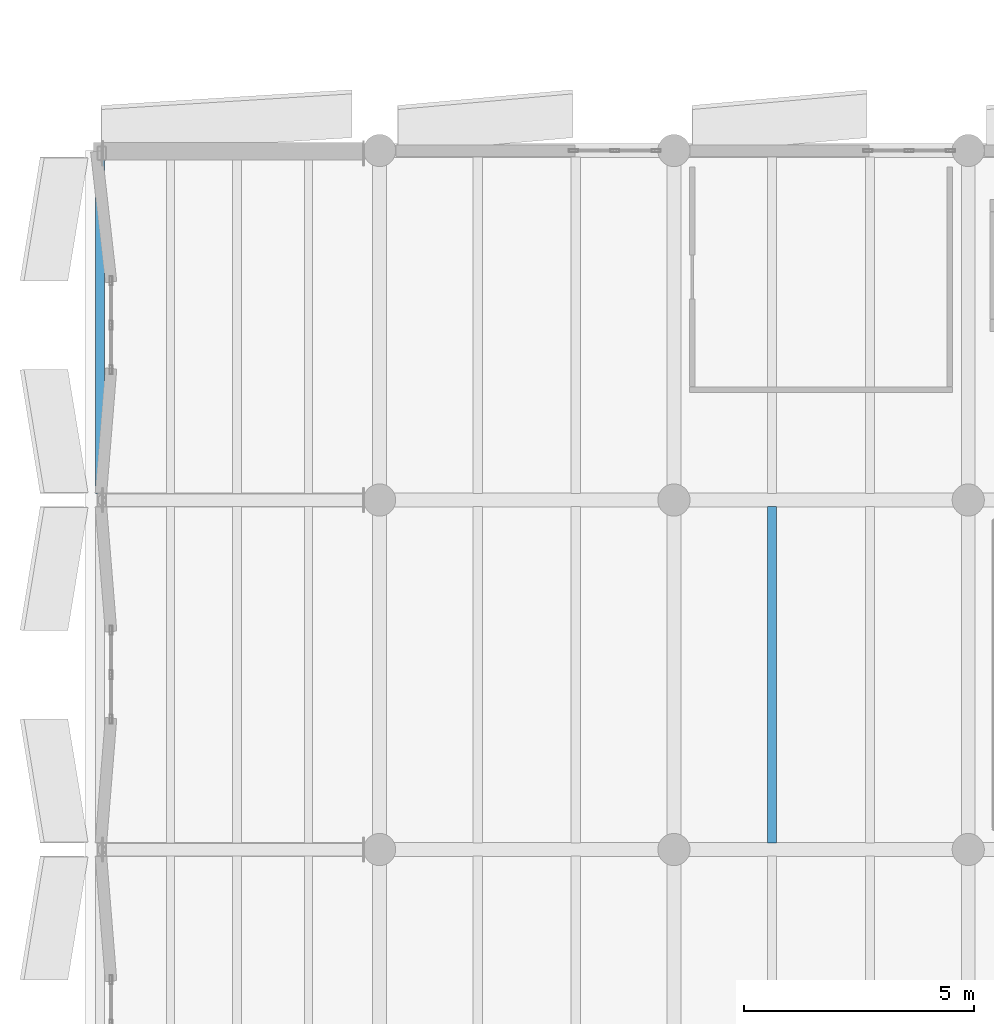
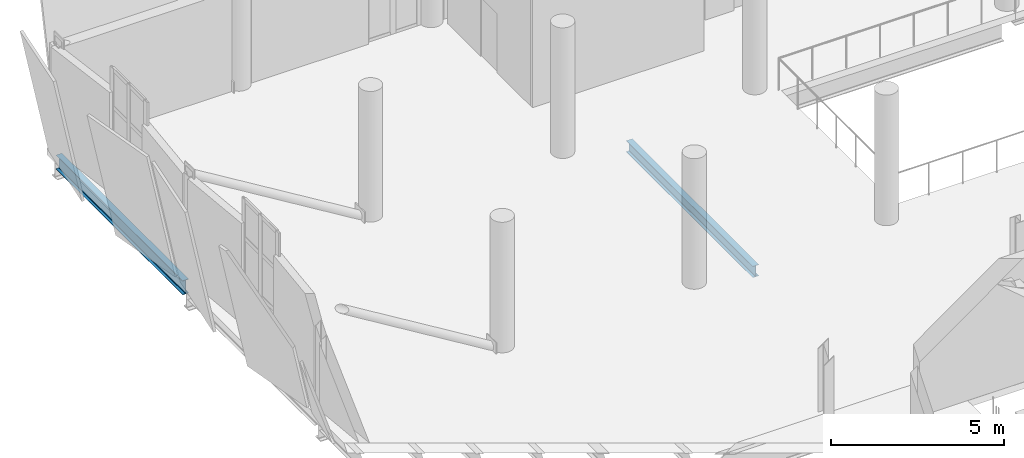
# One storey, part 36 of 136: 2 beams.
"""IFC4 building model written with IfcOpenShell, lengths in metres."""

from ifc_helpers import new_model, si_unit, direction, frame, origin, origin_2d, place, context, subcontext, project, spatial, i_section, extrude, material, material_profile, profile_set, type_object, element, save


model = new_model("IFC4")

# Units and contexts
model_context = context("Model", 3, precision=1e-05, world=origin(), true_north=direction((0.0, 1.0)))
body_context = subcontext(model_context, "Body", "Model", "MODEL_VIEW")
ifc_project = project(units=[si_unit("LENGTHUNIT", "METRE"), si_unit("AREAUNIT", "SQUARE_METRE"), si_unit("VOLUMEUNIT", "CUBIC_METRE"), si_unit("PLANEANGLEUNIT", "RADIAN"), si_unit("MASSUNIT", "GRAM", prefix="KILO")], contexts=[model_context])

# Site, building, storey
site_placement = place(None, origin())
site = spatial("IfcSite", under=ifc_project, at=site_placement, CompositionType="ELEMENT")
building_placement = place(site_placement, origin())
building = spatial("IfcBuilding", under=site, at=building_placement, Name="Shengluoqiao Park Theatre", CompositionType="ELEMENT")
storey_placement = place(building_placement, frame((0.0, 0.0, 10.0)))
storey = spatial("IfcBuildingStorey", under=building, at=storey_placement, Name="L02", CompositionType="ELEMENT", Elevation=10.0)

# Beams
ifc_material = material(Name="Steel Q355", Category="steel")
ifc_material_profile_1 = material_profile(ifc_material, i_section(OverallWidth=0.199951171875, OverallDepth=0.39990234375, WebThickness=0.008056640625, FlangeThickness=0.012939453125, FilletRadius=0.01611328125, at=origin_2d()), Name="HN 400x200x8x13")
ifc_profile_set_1 = profile_set([ifc_material_profile_1], Name="Steel Q355")
beam_type_1 = type_object("IfcBeamType", Name="STR-BM-J-HN400", PredefinedType="JOIST", material=ifc_profile_set_1)
beam_1_placement = place(storey_placement, frame((14.933349609375, 60.945068359375, -0.43994140625), z_axis=(0.0, 1.0, 0.0), x_axis=(-1.0, 0.0, 0.0)))
element("IfcBeam", 1, at=beam_1_placement, inside=storey, type_object=beam_type_1, Name="L02 Composite Joist 00964", PredefinedType="JOIST", context=body_context, shape_type="SweptSolid", body=[
    extrude(i_section(OverallWidth=0.199951171875, OverallDepth=0.39990234375, WebThickness=0.008056640625, FlangeThickness=0.012939453125, FilletRadius=0.01611328125, at=origin_2d()), origin(), (0.0, 0.0, 1.0), 7.309814453125),
])
ifc_material_profile_2 = material_profile(ifc_material, i_section(OverallWidth=0.198974609375, OverallDepth=0.49609375, WebThickness=0.009033203125, FlangeThickness=0.013916015625, FilletRadius=0.01806640625, at=origin_2d()), Name="HN 496x199x9x14")
ifc_profile_set_2 = profile_set([ifc_material_profile_2], Name="Steel Q355")
beam_type_2 = type_object("IfcBeamType", Name="STR-BM-SP-HN496", PredefinedType="SPANDREL", material=ifc_profile_set_2)
beam_2_placement = place(storey_placement, frame((0.320068359375, 68.5439453125, -0.488037109375), z_axis=(0.0, 1.0, 0.0), x_axis=(-1.0, 0.0, 0.0)))
element("IfcBeam", 2, at=beam_2_placement, inside=storey, type_object=beam_type_2, Name="V5 L02 Cantilever Spandrel 00050", PredefinedType="SPANDREL", context=body_context, shape_type="SweptSolid", body=[
    extrude(i_section(OverallWidth=0.198974609375, OverallDepth=0.49609375, WebThickness=0.009033203125, FlangeThickness=0.013916015625, FilletRadius=0.01806640625, at=origin_2d()), origin(), (0.0, 0.0, 1.0), 7.31201171875),
])

save(model, "model.ifc")
